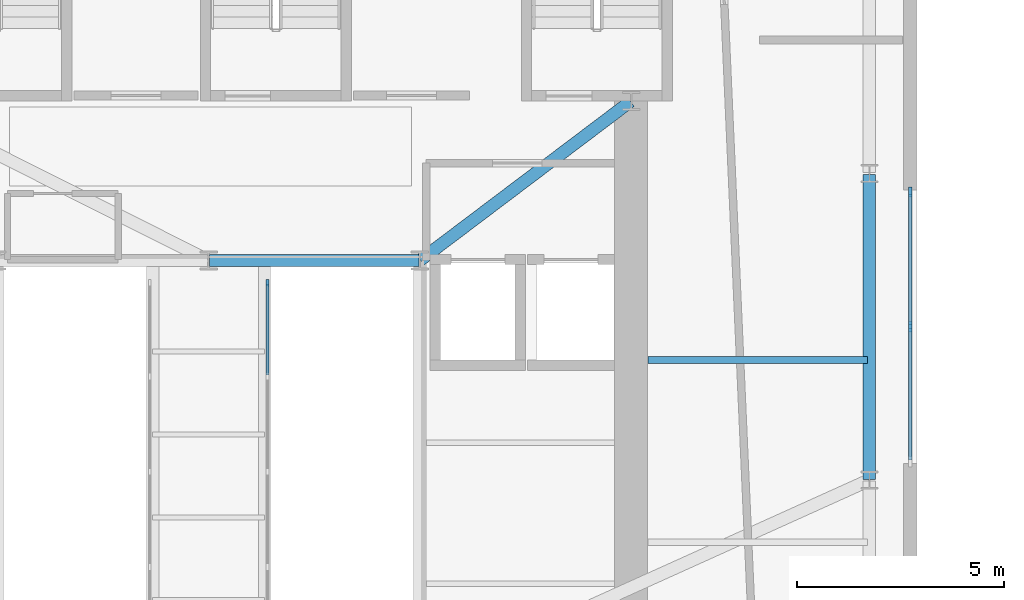
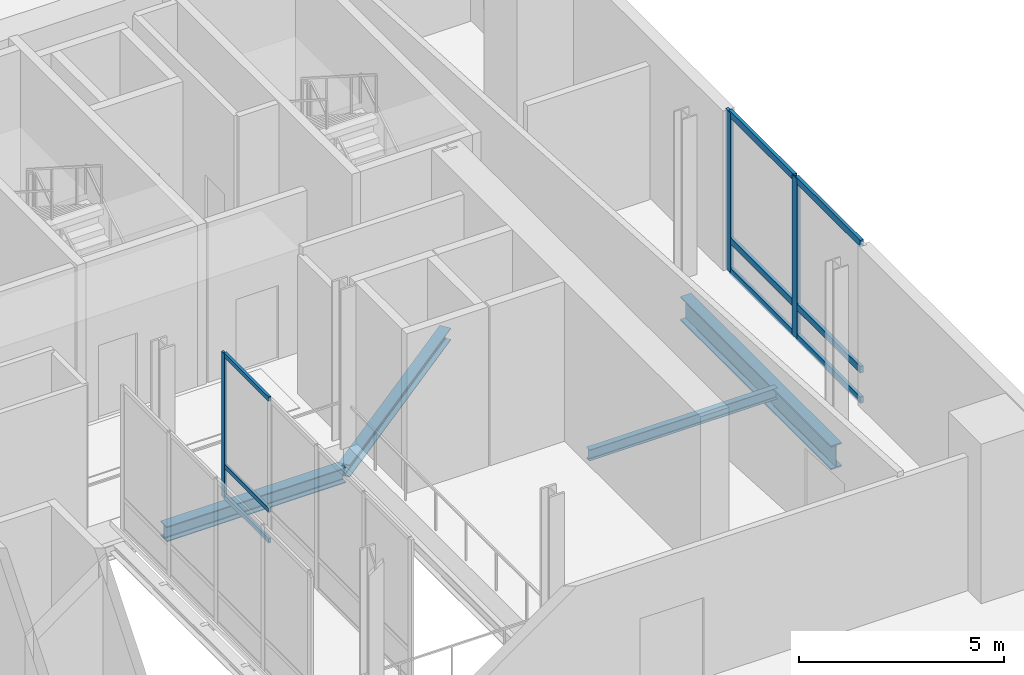
# One storey, part 4 of 13: 12 members, 4 beams, 2 elements without a shape of their own.
"""IFC4 building model written with IfcOpenShell, lengths in metres."""

from ifc_helpers import new_model, si_unit, direction, frame, origin, origin_2d, place, context, subcontext, project, spatial, rectangle, i_section, extrude, source, transform, mapped, material, material_profile, profile_set, type_object, element, aggregate, save


model = new_model("IFC4")

# Units and contexts
model_context = context("Model", 3, precision=1e-05, world=origin(), true_north=direction((0.0, 1.0)))
body_context = subcontext(model_context, "Body", "Model", "MODEL_VIEW")
ifc_project = project(units=[si_unit("LENGTHUNIT", "METRE"), si_unit("AREAUNIT", "SQUARE_METRE"), si_unit("VOLUMEUNIT", "CUBIC_METRE"), si_unit("PLANEANGLEUNIT", "RADIAN"), si_unit("MASSUNIT", "GRAM", prefix="KILO")], contexts=[model_context])

# Site, building, storey
site_placement = place(None, origin())
site = spatial("IfcSite", under=ifc_project, at=site_placement, CompositionType="ELEMENT")
building_placement = place(site_placement, origin())
building = spatial("IfcBuilding", under=site, at=building_placement, Name="Vardaveli Station Tower", CompositionType="ELEMENT")
storey_placement = place(building_placement, frame((0.0, 0.0, 98.699951171875)))
storey = spatial("IfcBuildingStorey", under=building, at=storey_placement, Name="L25", CompositionType="ELEMENT", Elevation=98.699951171875)

# Beams
ifc_material_1 = material(Name="Structural steel S355J2", Category="steel")
ifc_material_profile_1 = material_profile(ifc_material_1, i_section(OverallWidth=0.300048828125, OverallDepth=0.449951171875, WebThickness=0.013916015625, FlangeThickness=0.02587890625, FilletRadius=0.027099609375, at=origin_2d()), Name="HEB 450")
ifc_profile_set_1 = profile_set([ifc_material_profile_1], Name="Structural steel S355J2")
beam_type_1 = type_object("IfcBeamType", Name="BM-HEB450", PredefinedType="BEAM", material=ifc_profile_set_1)
shared_shape_1 = source(origin(), body_context, "Body", "SweptSolid", [
    extrude(i_section(OverallWidth=0.300048828125, OverallDepth=0.449951171875, WebThickness=0.013916015625, FlangeThickness=0.02587890625, FilletRadius=0.027099609375, at=origin_2d()), origin(), (0.0, 0.0, 1.0), 5.059814453125),
])
beam_1_placement = place(storey_placement, frame((41.3798828125, 26.800048828125, -0.875), z_axis=(-1.0, 0.0, 0.0), x_axis=(0.0, -1.0, 0.0)))
element("IfcBeam", 1, at=beam_1_placement, inside=storey, type_object=beam_type_1, Name="ABM-L25-04", PredefinedType="BEAM", context=body_context, shape_type="MappedRepresentation", body=[
    mapped(shared_shape_1, transform((0.0, 0.0, 0.0), scale=1.0)),
])
ifc_material_profile_2 = material_profile(ifc_material_1, i_section(OverallWidth=0.300048828125, OverallDepth=0.360107421875, WebThickness=0.012451171875, FlangeThickness=0.0224609375, FilletRadius=0.027099609375, at=origin_2d()), Name="HEB 360")
ifc_profile_set_2 = profile_set([ifc_material_profile_2], Name="Structural steel S355J2")
beam_type_2 = type_object("IfcBeamType", Name="BM-HEB360", PredefinedType="BEAM", material=ifc_profile_set_2)
shared_shape_2 = source(origin(), body_context, "Body", "SweptSolid", [
    extrude(i_section(OverallWidth=0.300048828125, OverallDepth=0.360107421875, WebThickness=0.012451171875, FlangeThickness=0.0224609375, FilletRadius=0.027099609375, at=origin_2d()), origin(), (0.0, 0.0, 1.0), 6.35009765625),
])
beam_2_placement = place(storey_placement, frame((41.416015625, 26.81201171875, -0.829833984375), z_axis=(0.798118337722, 0.602500721154, 0.0), x_axis=(-0.602500721154, 0.798118337722, 0.0)))
element("IfcBeam", 2, at=beam_2_placement, inside=storey, type_object=beam_type_2, Name="CBM-L25-02", PredefinedType="BEAM", context=body_context, shape_type="MappedRepresentation", body=[
    mapped(shared_shape_2, transform((0.0, 0.0, 0.0), scale=1.0)),
])
ifc_material_2 = material(Name="Structural steel S460M", Category="steel")
ifc_material_profile_3 = material_profile(ifc_material_2, i_section(OverallWidth=0.303955078125, OverallDepth=0.716064453125, WebThickness=0.02099609375, FlangeThickness=0.0400390625, FilletRadius=0.027099609375, at=origin_2d()), Name="HEM 700")
ifc_profile_set_3 = profile_set([ifc_material_profile_3], Name="Structural steel S460M")
beam_type_3 = type_object("IfcBeamType", Name="BM-HEM700", PredefinedType="BEAM", material=ifc_profile_set_3)
shared_shape_3 = source(origin(), body_context, "Body", "SweptSolid", [
    extrude(i_section(OverallWidth=0.303955078125, OverallDepth=0.716064453125, WebThickness=0.02099609375, FlangeThickness=0.0400390625, FilletRadius=0.027099609375, at=origin_2d()), origin(), (0.0, 0.0, 1.0), 7.35986328125),
])
beam_3_placement = place(storey_placement, frame((52.25, 21.52001953125, -1.008056640625), z_axis=(0.0, 1.0, 0.0), x_axis=(-1.0, 0.0, 0.0)))
element("IfcBeam", 3, at=beam_3_placement, inside=storey, type_object=beam_type_3, Name="RBM-L25-08", PredefinedType="BEAM", context=body_context, shape_type="MappedRepresentation", body=[
    mapped(shared_shape_3, transform((0.0, 0.0, 0.0), scale=1.0)),
])
ifc_material_profile_4 = material_profile(ifc_material_1, i_section(OverallWidth=0.159912109375, OverallDepth=0.330078125, WebThickness=0.007568359375, FlangeThickness=0.011474609375, FilletRadius=0.01806640625, at=origin_2d()), Name="IPE 330")
ifc_profile_set_4 = profile_set([ifc_material_profile_4], Name="Structural steel S355J2")
beam_type_4 = type_object("IfcBeamType", Name="BM-IPE330", PredefinedType="JOIST", material=ifc_profile_set_4)
shared_shape_4 = source(origin(), body_context, "Body", "SweptSolid", [
    extrude(i_section(OverallWidth=0.159912109375, OverallDepth=0.330078125, WebThickness=0.007568359375, FlangeThickness=0.011474609375, FilletRadius=0.01806640625, at=origin_2d()), origin(), (0.0, 0.0, 1.0), 5.304931640625),
])
beam_4_placement = place(storey_placement, frame((46.905029296875, 24.39990234375, -0.81494140625), z_axis=(1.0, 0.0, 0.0), x_axis=(0.0, 1.0, 0.0)))
element("IfcBeam", 4, at=beam_4_placement, inside=storey, type_object=beam_type_4, Name="SJ-L25-E08", PredefinedType="JOIST", context=body_context, shape_type="MappedRepresentation", body=[
    mapped(shared_shape_4, transform((0.0, 0.0, 0.0), scale=1.0)),
])

# Curtain wall, members
ifc_material_3 = material(Name="Travertine stone and solar-control glass", Category="masonry")
curtain_wall_type_1 = type_object("IfcCurtainWallType", Name="CW-SYS-3", PredefinedType="NOTDEFINED", material=ifc_material_3)
curtain_wall_1_placement = place(storey_placement, origin())
curtain_wall_1 = element("IfcCurtainWall", 5, at=curtain_wall_1_placement, inside=storey, type_object=curtain_wall_type_1, Name="CW-L25-E", PredefinedType="NOTDEFINED")
ifc_material_4 = material(Name="Anodised aluminium alloy 6063-T6", Category="aluminium")
ifc_material_profile_5 = material_profile(ifc_material_4, rectangle(XDim=0.090087890625, YDim=0.25, at=origin_2d()), Name="CWM 90x250")
ifc_profile_set_5 = profile_set([ifc_material_profile_5], Name="Anodised aluminium alloy 6063-T6")
member_type_1 = type_object("IfcMemberType", Name="CW-SYS-3-MULL", PredefinedType="MULLION", material=ifc_profile_set_5)
shared_shape_5 = source(origin(), body_context, "Body", "SweptSolid", [
    extrude(rectangle(XDim=0.090087890625, YDim=0.25, at=origin_2d()), origin(), (0.0, 0.0, 1.0), 4.760009765625),
])
member_1_placement = place(storey_placement, frame((53.239990234375, 25.199951171875, 0.0), z_axis=(0.0, 0.0, 1.0), x_axis=(-1.0, 0.0, 0.0)))
member_1 = element("IfcMember", 6, at=member_1_placement, type_object=member_type_1, Name="CW-3 mullion 2", PredefinedType="MULLION", context=body_context, shape_type="MappedRepresentation", body=[
    mapped(shared_shape_5, transform((0.0, 0.0, 0.0), scale=1.0)),
])
member_2_placement = place(storey_placement, frame((53.239990234375, 28.455078125, 0.0), z_axis=(0.0, 0.0, 1.0), x_axis=(-1.0, 0.0, 0.0)))
member_2 = element("IfcMember", 7, at=member_2_placement, type_object=member_type_1, Name="CW-3 mullion 3", PredefinedType="MULLION", context=body_context, shape_type="MappedRepresentation", body=[
    mapped(shared_shape_5, transform((0.0, 0.0, 0.0), scale=1.0)),
])
ifc_material_profile_6 = material_profile(ifc_material_4, rectangle(XDim=0.090087890625, YDim=0.199951171875, at=origin_2d()), Name="CWT 90x200")
ifc_profile_set_6 = profile_set([ifc_material_profile_6], Name="Anodised aluminium alloy 6063-T6")
member_type_2 = type_object("IfcMemberType", Name="CW-SYS-3-TRAN", PredefinedType="NOTDEFINED", material=ifc_profile_set_6)
shared_shape_6 = source(origin(), body_context, "Body", "SweptSolid", [
    extrude(rectangle(XDim=0.090087890625, YDim=0.199951171875, at=origin_2d()), origin(), (0.0, 0.0, 1.0), 3.1650390625),
])
member_3_placement = place(storey_placement, frame((53.239990234375, 21.989990234375, 0.045166015625), z_axis=(0.0, 1.0, 0.0), x_axis=(-1.0, 0.0, 0.0)))
member_3 = element("IfcMember", 8, at=member_3_placement, type_object=member_type_2, Name="CW-3 transom 1.1", ObjectType="TRANSOM", PredefinedType="USERDEFINED", context=body_context, shape_type="MappedRepresentation", body=[
    mapped(shared_shape_6, transform((0.0, 0.0, 0.0), scale=1.0)),
])
member_4_placement = place(storey_placement, frame((53.239990234375, 21.989990234375, 0.949951171875), z_axis=(0.0, 1.0, 0.0), x_axis=(-1.0, 0.0, 0.0)))
member_4 = element("IfcMember", 9, at=member_4_placement, type_object=member_type_2, Name="CW-3 transom 1.2", ObjectType="TRANSOM", PredefinedType="USERDEFINED", context=body_context, shape_type="MappedRepresentation", body=[
    mapped(shared_shape_6, transform((0.0, 0.0, 0.0), scale=1.0)),
])
member_5_placement = place(storey_placement, frame((53.239990234375, 21.989990234375, 4.715087890625), z_axis=(0.0, 1.0, 0.0), x_axis=(-1.0, 0.0, 0.0)))
member_5 = element("IfcMember", 10, at=member_5_placement, type_object=member_type_2, Name="CW-3 transom 1.3", ObjectType="TRANSOM", PredefinedType="USERDEFINED", context=body_context, shape_type="MappedRepresentation", body=[
    mapped(shared_shape_6, transform((0.0, 0.0, 0.0), scale=1.0)),
])
shared_shape_7 = source(origin(), body_context, "Body", "SweptSolid", [
    extrude(rectangle(XDim=0.090087890625, YDim=0.199951171875, at=origin_2d()), origin(), (0.0, 0.0, 1.0), 3.164794921875),
])
member_6_placement = place(storey_placement, frame((53.239990234375, 25.2451171875, 0.045166015625), z_axis=(0.0, 1.0, 0.0), x_axis=(-1.0, 0.0, 0.0)))
member_6 = element("IfcMember", 11, at=member_6_placement, type_object=member_type_2, Name="CW-3 transom 2.1", ObjectType="TRANSOM", PredefinedType="USERDEFINED", context=body_context, shape_type="MappedRepresentation", body=[
    mapped(shared_shape_7, transform((0.0, 0.0, 0.0), scale=1.0)),
])
member_7_placement = place(storey_placement, frame((53.239990234375, 25.2451171875, 0.949951171875), z_axis=(0.0, 1.0, 0.0), x_axis=(-1.0, 0.0, 0.0)))
member_7 = element("IfcMember", 12, at=member_7_placement, type_object=member_type_2, Name="CW-3 transom 2.2", ObjectType="TRANSOM", PredefinedType="USERDEFINED", context=body_context, shape_type="MappedRepresentation", body=[
    mapped(shared_shape_7, transform((0.0, 0.0, 0.0), scale=1.0)),
])
member_8_placement = place(storey_placement, frame((53.239990234375, 25.2451171875, 4.715087890625), z_axis=(0.0, 1.0, 0.0), x_axis=(-1.0, 0.0, 0.0)))
member_8 = element("IfcMember", 13, at=member_8_placement, type_object=member_type_2, Name="CW-3 transom 2.3", ObjectType="TRANSOM", PredefinedType="USERDEFINED", context=body_context, shape_type="MappedRepresentation", body=[
    mapped(shared_shape_7, transform((0.0, 0.0, 0.0), scale=1.0)),
])
aggregate(curtain_wall_1, [member_1, member_2, member_3, member_4, member_5, member_6, member_7, member_8])

curtain_wall_type_2 = type_object("IfcCurtainWallType", Name="CW-SYS-4", PredefinedType="NOTDEFINED", material=ifc_material_3)
curtain_wall_2_placement = place(storey_placement, origin())
curtain_wall_2 = element("IfcCurtainWall", 14, at=curtain_wall_2_placement, inside=storey, type_object=curtain_wall_type_2, Name="CW-L25-BRE", PredefinedType="NOTDEFINED")
ifc_material_profile_7 = material_profile(ifc_material_4, rectangle(XDim=0.070068359375, YDim=0.1650390625, at=origin_2d()), Name="CWM 70x165")
ifc_profile_set_7 = profile_set([ifc_material_profile_7], Name="Anodised aluminium alloy 6063-T6")
member_type_3 = type_object("IfcMemberType", Name="CW-SYS-4-MULL", PredefinedType="MULLION", material=ifc_profile_set_7)
shared_shape_8 = source(origin(), body_context, "Body", "SweptSolid", [
    extrude(rectangle(XDim=0.070068359375, YDim=0.1650390625, at=origin_2d()), origin(), (0.0, 0.0, 1.0), 4.300048828125),
])
member_9_placement = place(storey_placement, frame((37.719970703125, 26.264892578125, 0.0), z_axis=(0.0, 0.0, 1.0), x_axis=(-1.0, 0.0, 0.0)))
member_9 = element("IfcMember", 15, at=member_9_placement, type_object=member_type_3, Name="CW-4 mullion 5", PredefinedType="MULLION", context=body_context, shape_type="MappedRepresentation", body=[
    mapped(shared_shape_8, transform((0.0, 0.0, 0.0), scale=1.0)),
])
ifc_material_profile_8 = material_profile(ifc_material_4, rectangle(XDim=0.070068359375, YDim=0.135009765625, at=origin_2d()), Name="CWT 70x135")
ifc_profile_set_8 = profile_set([ifc_material_profile_8], Name="Anodised aluminium alloy 6063-T6")
member_type_4 = type_object("IfcMemberType", Name="CW-SYS-4-TRAN", PredefinedType="NOTDEFINED", material=ifc_profile_set_8)
shared_shape_9 = source(origin(), body_context, "Body", "SweptSolid", [
    extrude(rectangle(XDim=0.070068359375, YDim=0.135009765625, at=origin_2d()), origin(), (0.0, 0.0, 1.0), 2.195068359375),
])
member_10_placement = place(storey_placement, frame((37.719970703125, 24.034912109375, 0.03515625), z_axis=(0.0, 1.0, 0.0), x_axis=(-1.0, 0.0, 0.0)))
member_10 = element("IfcMember", 16, at=member_10_placement, type_object=member_type_4, Name="CW-4 transom 4.1", ObjectType="TRANSOM", PredefinedType="USERDEFINED", context=body_context, shape_type="MappedRepresentation", body=[
    mapped(shared_shape_9, transform((0.0, 0.0, 0.0), scale=1.0)),
])
member_11_placement = place(storey_placement, frame((37.719970703125, 24.034912109375, 0.949951171875), z_axis=(0.0, 1.0, 0.0), x_axis=(-1.0, 0.0, 0.0)))
member_11 = element("IfcMember", 17, at=member_11_placement, type_object=member_type_4, Name="CW-4 transom 4.2", ObjectType="TRANSOM", PredefinedType="USERDEFINED", context=body_context, shape_type="MappedRepresentation", body=[
    mapped(shared_shape_9, transform((0.0, 0.0, 0.0), scale=1.0)),
])
member_12_placement = place(storey_placement, frame((37.719970703125, 24.034912109375, 4.26513671875), z_axis=(0.0, 1.0, 0.0), x_axis=(-1.0, 0.0, 0.0)))
member_12 = element("IfcMember", 18, at=member_12_placement, type_object=member_type_4, Name="CW-4 transom 4.3", ObjectType="TRANSOM", PredefinedType="USERDEFINED", context=body_context, shape_type="MappedRepresentation", body=[
    mapped(shared_shape_9, transform((0.0, 0.0, 0.0), scale=1.0)),
])
aggregate(curtain_wall_2, [member_9, member_10, member_11, member_12])

save(model, "model.ifc")
